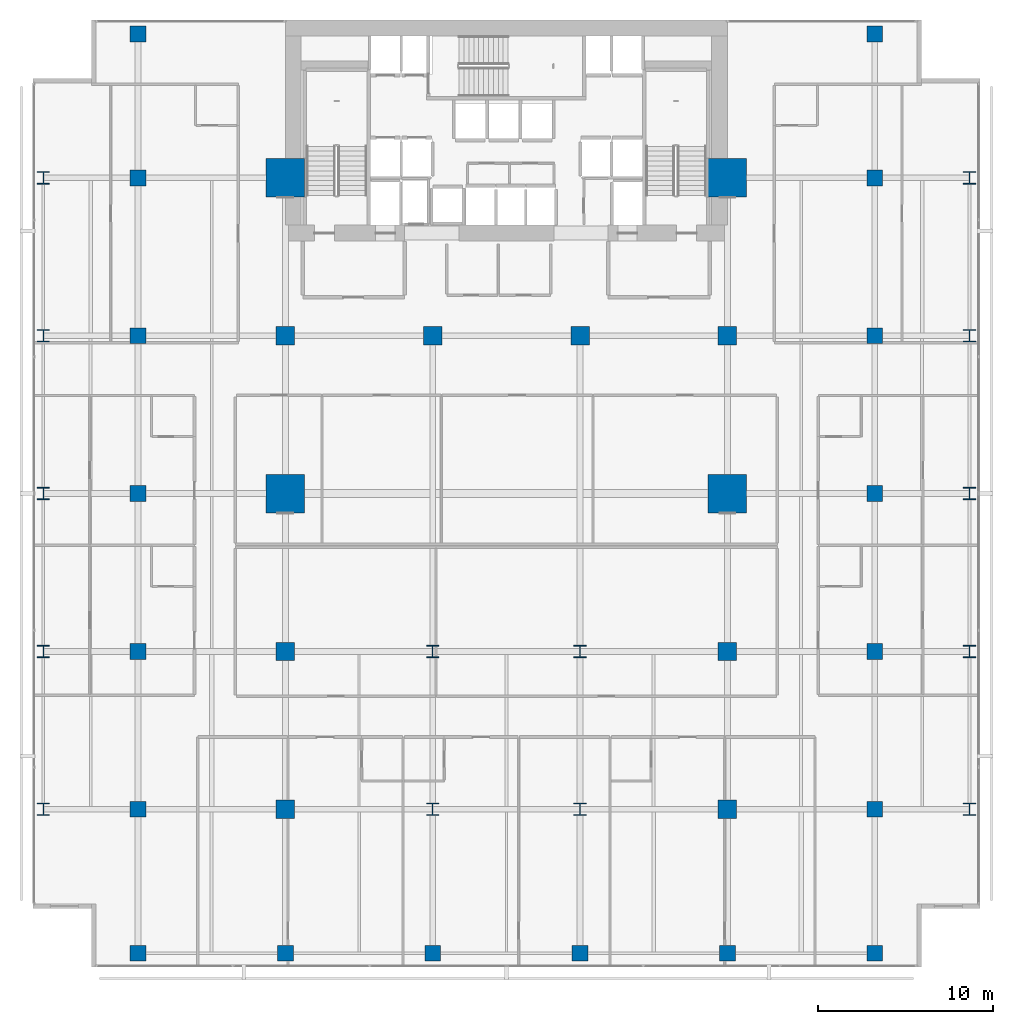
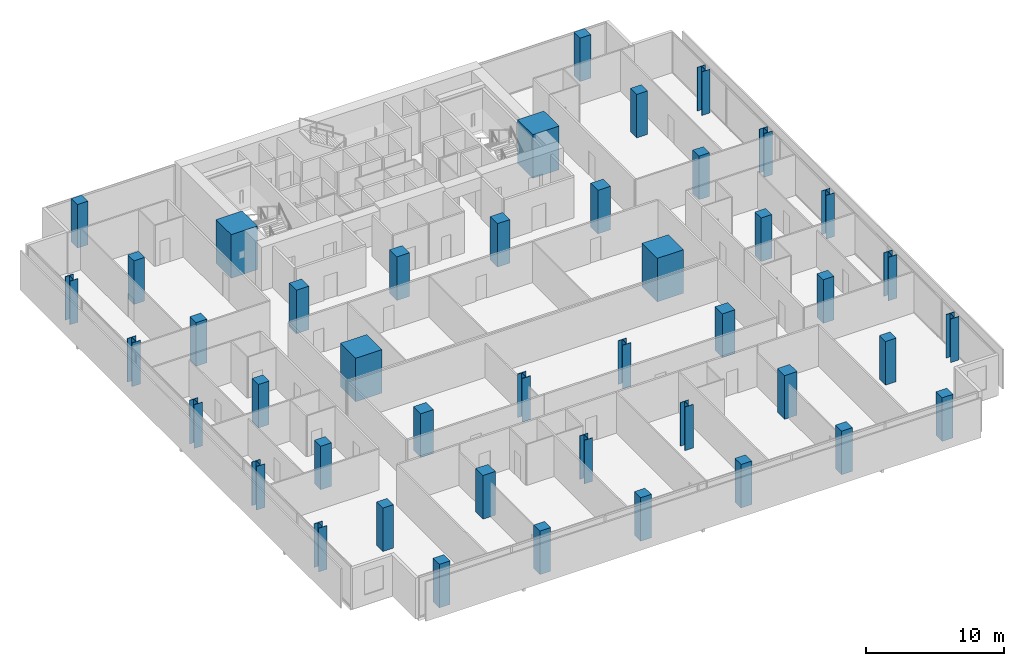
# One storey, part 1 of 40: 44 columns.
"""IFC4 building model written with IfcOpenShell, lengths in metres."""

from ifc_helpers import new_model, si_unit, direction, frame, origin, origin_2d, place, context, subcontext, project, spatial, rectangle, i_section, extrude, material, material_profile, profile_set, type_object, element, save


model = new_model("IFC4")

# Units and contexts
model_context = context("Model", 3, precision=1e-05, world=origin(), true_north=direction((0.0, 1.0)))
body_context = subcontext(model_context, "Body", "Model", "MODEL_VIEW")
ifc_project = project(units=[si_unit("LENGTHUNIT", "METRE"), si_unit("AREAUNIT", "SQUARE_METRE"), si_unit("VOLUMEUNIT", "CUBIC_METRE"), si_unit("PLANEANGLEUNIT", "RADIAN"), si_unit("MASSUNIT", "GRAM", prefix="KILO")], contexts=[model_context])

# Site, building, storey
site_placement = place(None, origin())
site = spatial("IfcSite", under=ifc_project, at=site_placement, CompositionType="ELEMENT")
building_placement = place(site_placement, origin())
building = spatial("IfcBuilding", under=site, at=building_placement, Name="Maruvema Waterfront Hotel and Observation Tower", CompositionType="ELEMENT")
storey_placement = place(building_placement, frame((0.0, 0.0, 73.14990234375)))
storey = spatial("IfcBuildingStorey", under=building, at=storey_placement, Name="L17", CompositionType="ELEMENT", Elevation=73.14990234375)

# Columns
ifc_material_1 = material(Name="Concrete C80/95", Category="concrete")
ifc_material_profile_1 = material_profile(ifc_material_1, rectangle(XDim=2.199951171875, YDim=2.199951171875, at=origin_2d()), Name="MC2200x2200")
ifc_profile_set_1 = profile_set([ifc_material_profile_1], Name="Concrete C80/95")
column_type_1 = type_object("IfcColumnType", Name="Continuous Mega-Column MC2200x2200", PredefinedType="COLUMN", material=ifc_profile_set_1)
for number, where, z_axis, x_axis, name in (
    (1, (25.199951171875, 27.0, 0.0), (0.0, 0.0, 1.0), (1.0, 0.0, 0.0), "L17 Continuous Mega-Column MC-01"),
    (2, (50.39990234375, 27.0, 0.0), (0.0, 0.0, 1.0), (1.0, 0.0, 0.0), "L17 Continuous Mega-Column MC-02"),
    (3, (25.199951171875, 45.0, 0.0), (0.0, 0.0, 1.0), (1.0, 0.0, 0.0), "L17 Continuous Mega-Column MC-03"),
    (4, (50.39990234375, 45.0, 0.0), (0.0, 0.0, 1.0), (1.0, 0.0, 0.0), "L17 Continuous Mega-Column MC-04"),
):
    element("IfcColumn", number, at=place(storey_placement, frame(where, z_axis=z_axis, x_axis=x_axis)), inside=storey, type_object=column_type_1, Name=name, PredefinedType="COLUMN", context=body_context, shape_type="SweptSolid", body=[
        extrude(rectangle(XDim=2.199951171875, YDim=2.199951171875, at=origin_2d()), origin(), (0.0, 0.0, 1.0), 3.85009765625),
    ])
ifc_material_2 = material(Name="Concrete C60/75", Category="concrete")
ifc_material_profile_2 = material_profile(ifc_material_2, rectangle(XDim=1.050048828125, YDim=1.050048828125, at=origin_2d()), Name="RC1050x1050")
ifc_profile_set_2 = profile_set([ifc_material_profile_2], Name="Concrete C60/75")
column_type_2 = type_object("IfcColumnType", Name="Reinforced Concrete Column RC1050x1050", PredefinedType="COLUMN", material=ifc_profile_set_2)
for number, where, z_axis, x_axis, name in (
    (5, (25.199951171875, 36.0, 0.0), (0.0, 0.0, 1.0), (1.0, 0.0, 0.0), "L17 Column C-4E"),
    (6, (33.60009765625, 36.0, 0.0), (0.0, 0.0, 1.0), (1.0, 0.0, 0.0), "L17 Column C-5E"),
    (7, (42.0, 36.0, 0.0), (0.0, 0.0, 1.0), (1.0, 0.0, 0.0), "L17 Column C-6E"),
    (8, (50.39990234375, 36.0, 0.0), (0.0, 0.0, 1.0), (1.0, 0.0, 0.0), "L17 Column C-7E"),
    (9, (25.199951171875, 18.0, 0.0), (0.0, 0.0, 1.0), (1.0, 0.0, 0.0), "L17 Column C-4C"),
    (10, (50.39990234375, 18.0, 0.0), (0.0, 0.0, 1.0), (1.0, 0.0, 0.0), "L17 Column C-7C"),
    (11, (25.199951171875, 9.0, 0.0), (0.0, 0.0, 1.0), (1.0, 0.0, 0.0), "L17 Column C-4B"),
    (12, (50.39990234375, 9.0, 0.0), (0.0, 0.0, 1.0), (1.0, 0.0, 0.0), "L17 Column C-7B"),
):
    element("IfcColumn", number, at=place(storey_placement, frame(where, z_axis=z_axis, x_axis=x_axis)), inside=storey, type_object=column_type_2, Name=name, PredefinedType="COLUMN", context=body_context, shape_type="SweptSolid", body=[
        extrude(rectangle(XDim=1.050048828125, YDim=1.050048828125, at=origin_2d()), origin(), (0.0, 0.0, 1.0), 3.85009765625),
    ])
ifc_material_3 = material(Name="Concrete C60/75", Category="concrete")
ifc_material_profile_3 = material_profile(ifc_material_3, rectangle(XDim=0.89990234375, YDim=0.89990234375, at=origin_2d()), Name="RC900x900")
ifc_profile_set_3 = profile_set([ifc_material_profile_3], Name="Concrete C60/75")
column_type_3 = type_object("IfcColumnType", Name="Reinforced Concrete Column RC900x900", PredefinedType="COLUMN", material=ifc_profile_set_3)
for number, where, z_axis, x_axis, name in (
    (13, (16.800048828125, 9.0, 0.0), (0.0, 0.0, 1.0), (1.0, 0.0, 0.0), "L17 Column C-3Y9"),
    (14, (58.800048828125, 9.0, 0.0), (0.0, 0.0, 1.0), (1.0, 0.0, 0.0), "L17 Column C-8Y9"),
    (15, (16.800048828125, 18.0, 0.0), (0.0, 0.0, 1.0), (1.0, 0.0, 0.0), "L17 Column C-3Y18"),
    (16, (58.800048828125, 18.0, 0.0), (0.0, 0.0, 1.0), (1.0, 0.0, 0.0), "L17 Column C-8Y18"),
    (17, (16.800048828125, 27.0, 0.0), (0.0, 0.0, 1.0), (1.0, 0.0, 0.0), "L17 Column C-3Y27"),
    (18, (58.800048828125, 27.0, 0.0), (0.0, 0.0, 1.0), (1.0, 0.0, 0.0), "L17 Column C-8Y27"),
    (19, (16.800048828125, 36.0, 0.0), (0.0, 0.0, 1.0), (1.0, 0.0, 0.0), "L17 Column C-3Y36"),
    (20, (58.800048828125, 36.0, 0.0), (0.0, 0.0, 1.0), (1.0, 0.0, 0.0), "L17 Column C-8Y36"),
    (21, (16.800048828125, 45.0, 0.0), (0.0, 0.0, 1.0), (1.0, 0.0, 0.0), "L17 Column C-3Y45"),
    (22, (58.800048828125, 45.0, 0.0), (0.0, 0.0, 1.0), (1.0, 0.0, 0.0), "L17 Column C-8Y45"),
    (23, (16.800048828125, 0.800048828125, 0.0), (0.0, 0.0, 1.0), (1.0, 0.0, 0.0), "L17 Column C-3A"),
    (24, (25.199951171875, 0.800048828125, 0.0), (0.0, 0.0, 1.0), (1.0, 0.0, 0.0), "L17 Column C-4A"),
    (25, (33.60009765625, 0.800048828125, 0.0), (0.0, 0.0, 1.0), (1.0, 0.0, 0.0), "L17 Column C-5A"),
    (26, (42.0, 0.800048828125, 0.0), (0.0, 0.0, 1.0), (1.0, 0.0, 0.0), "L17 Column C-6A"),
    (27, (50.39990234375, 0.800048828125, 0.0), (0.0, 0.0, 1.0), (1.0, 0.0, 0.0), "L17 Column C-7A"),
    (28, (58.800048828125, 0.800048828125, 0.0), (0.0, 0.0, 1.0), (1.0, 0.0, 0.0), "L17 Column C-8A"),
    (29, (16.800048828125, 53.199951171875, 0.0), (0.0, 0.0, 1.0), (1.0, 0.0, 0.0), "L17 Column C-3G"),
    (30, (58.800048828125, 53.199951171875, 0.0), (0.0, 0.0, 1.0), (1.0, 0.0, 0.0), "L17 Column C-8G"),
):
    element("IfcColumn", number, at=place(storey_placement, frame(where, z_axis=z_axis, x_axis=x_axis)), inside=storey, type_object=column_type_3, Name=name, PredefinedType="COLUMN", context=body_context, shape_type="SweptSolid", body=[
        extrude(rectangle(XDim=0.89990234375, YDim=0.89990234375, at=origin_2d()), origin(), (0.0, 0.0, 1.0), 3.85009765625),
    ])
ifc_material_4 = material(Name="Steel ABNT NBR 7007 AR 415 (ASTM A572 Grade 50)", Category="steel")
ifc_material_profile_4 = material_profile(ifc_material_4, i_section(OverallWidth=0.699951171875, OverallDepth=0.699951171875, WebThickness=0.028076171875, FlangeThickness=0.0439453125, at=origin_2d()), Name="CVS700x436")
ifc_profile_set_4 = profile_set([ifc_material_profile_4], Name="Steel ABNT NBR 7007 AR 415 (ASTM A572 Grade 50)")
column_type_4 = type_object("IfcColumnType", Name="Structural Steel Column CVS700x436", PredefinedType="COLUMN", material=ifc_profile_set_4)
for number, where, z_axis, x_axis, name in (
    (31, (33.60009765625, 9.0, 0.0), (0.0, 0.0, 1.0), (1.0, 0.0, 0.0), "L17 Column C-5B"),
    (32, (42.0, 9.0, 0.0), (0.0, 0.0, 1.0), (1.0, 0.0, 0.0), "L17 Column C-6B"),
    (33, (33.60009765625, 18.0, 0.0), (0.0, 0.0, 1.0), (1.0, 0.0, 0.0), "L17 Column C-5C"),
    (34, (42.0, 18.0, 0.0), (0.0, 0.0, 1.0), (1.0, 0.0, 0.0), "L17 Column C-6C"),
    (35, (11.39990234375, 9.0, 0.0), (0.0, 0.0, 1.0), (1.0, 0.0, 0.0), "L17 Column C-Z1W9"),
    (36, (64.199951171875, 9.0, 0.0), (0.0, 0.0, 1.0), (1.0, 0.0, 0.0), "L17 Column C-Z1E9"),
    (37, (11.39990234375, 18.0, 0.0), (0.0, 0.0, 1.0), (1.0, 0.0, 0.0), "L17 Column C-Z1W18"),
    (38, (64.199951171875, 18.0, 0.0), (0.0, 0.0, 1.0), (1.0, 0.0, 0.0), "L17 Column C-Z1E18"),
    (39, (11.39990234375, 27.0, 0.0), (0.0, 0.0, 1.0), (1.0, 0.0, 0.0), "L17 Column C-Z1W27"),
    (40, (64.199951171875, 27.0, 0.0), (0.0, 0.0, 1.0), (1.0, 0.0, 0.0), "L17 Column C-Z1E27"),
    (41, (11.39990234375, 36.0, 0.0), (0.0, 0.0, 1.0), (1.0, 0.0, 0.0), "L17 Column C-Z1W36"),
    (42, (64.199951171875, 36.0, 0.0), (0.0, 0.0, 1.0), (1.0, 0.0, 0.0), "L17 Column C-Z1E36"),
    (43, (11.39990234375, 45.0, 0.0), (0.0, 0.0, 1.0), (1.0, 0.0, 0.0), "L17 Column C-Z1W45"),
    (44, (64.199951171875, 45.0, 0.0), (0.0, 0.0, 1.0), (1.0, 0.0, 0.0), "L17 Column C-Z1E45"),
):
    element("IfcColumn", number, at=place(storey_placement, frame(where, z_axis=z_axis, x_axis=x_axis)), inside=storey, type_object=column_type_4, Name=name, PredefinedType="COLUMN", context=body_context, shape_type="SweptSolid", body=[
        extrude(i_section(OverallWidth=0.699951171875, OverallDepth=0.699951171875, WebThickness=0.028076171875, FlangeThickness=0.0439453125, at=origin_2d()), origin(), (0.0, 0.0, 1.0), 3.85009765625),
    ])

save(model, "model.ifc")
